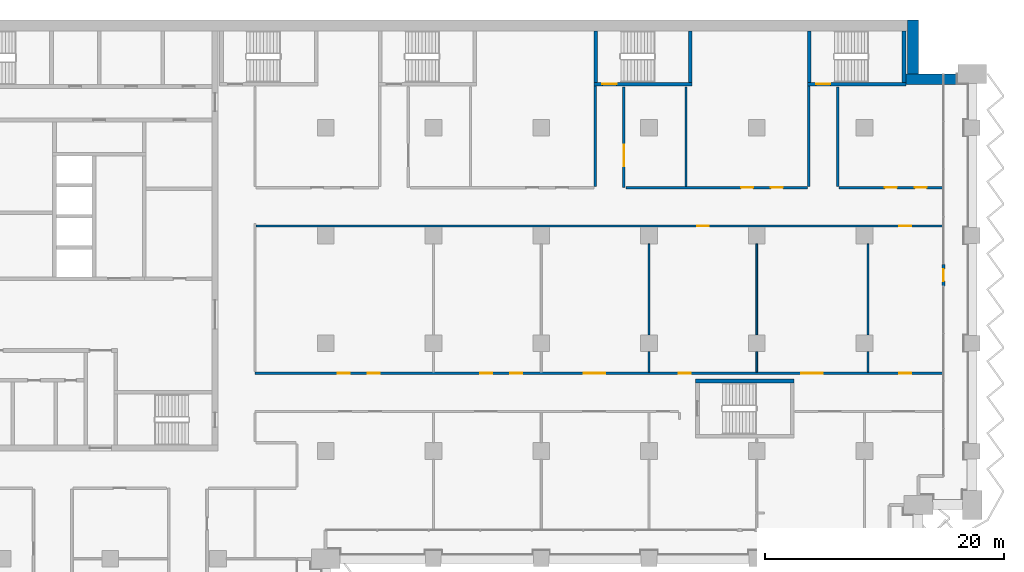
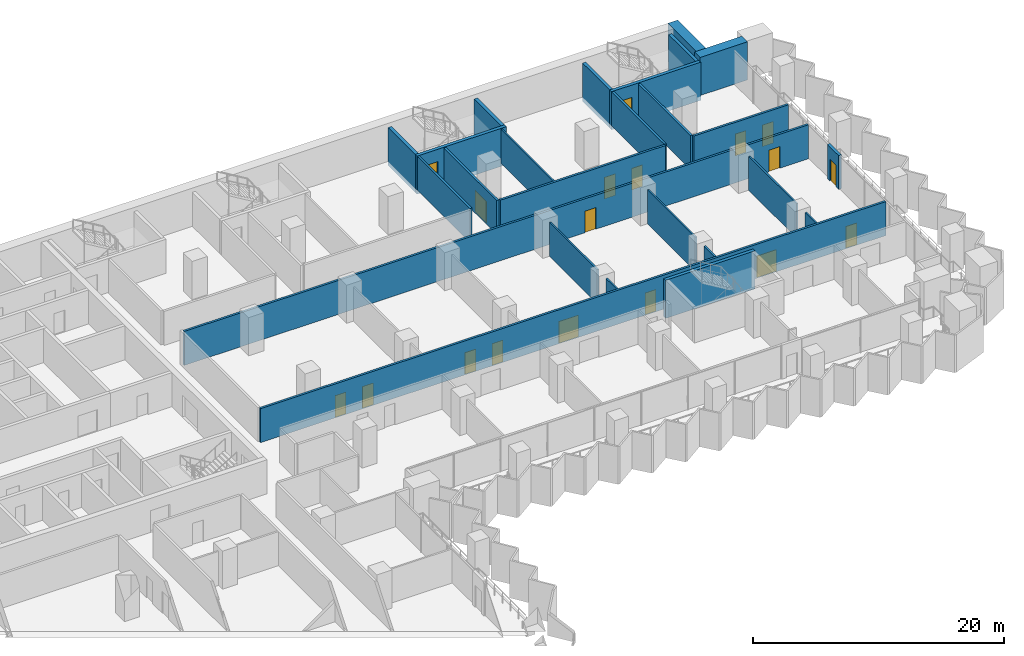
# One storey, part 18 of 28: 25 walls, 18 doors, 18 openings.
"""IFC4 building model written with IfcOpenShell, lengths in metres."""

from ifc_helpers import new_model, si_unit, direction, frame, frame_2d, origin, place, context, subcontext, project, spatial, rectangle, extrude, material, layer, layer_set, type_object, element, fill, save


model = new_model("IFC4")

# Units and contexts
model_context = context("Model", 3, precision=1e-05, world=origin(), true_north=direction((0.0, 1.0)))
body_context = subcontext(model_context, "Body", "Model", "MODEL_VIEW")
ifc_project = project(units=[si_unit("LENGTHUNIT", "METRE"), si_unit("AREAUNIT", "SQUARE_METRE"), si_unit("VOLUMEUNIT", "CUBIC_METRE"), si_unit("PLANEANGLEUNIT", "RADIAN"), si_unit("MASSUNIT", "GRAM", prefix="KILO")], contexts=[model_context])

# Site, building, storey
site_placement = place(None, origin())
site = spatial("IfcSite", under=ifc_project, at=site_placement, CompositionType="ELEMENT")
building_placement = place(site_placement, origin())
building = spatial("IfcBuilding", under=site, at=building_placement, Name="Hunhe Ridgeline Campus", CompositionType="ELEMENT")
storey_placement = place(building_placement, frame((0.0, 0.0, 58.0)))
storey = spatial("IfcBuildingStorey", under=building, at=storey_placement, Name="L13", CompositionType="ELEMENT", Elevation=58.0)

# Wall, openings, doors
ifc_material_1 = material(Name="Gypsum board partition")
ifc_layer_1 = layer(ifc_material_1, 0.199951171875)
ifc_layer_set_1 = layer_set([ifc_layer_1], Name="Corridor partition 200 gypsum board on steel studs")
wall_type_1 = type_object("IfcWallType", Name="Corridor partition 200 gypsum board on steel studs", PredefinedType="PARTITIONING", material=ifc_layer_set_1)
wall_1_placement = place(storey_placement, frame((39.10009765625, 69.5, 0.0), z_axis=(0.0, 0.0, 1.0), x_axis=(1.0, 0.0, 0.0)))
wall_1 = element("IfcWall", 1, at=wall_1_placement, inside=storey, type_object=wall_type_1, Name="F-L13-wall-041", PredefinedType="PARTITIONING", context=body_context, shape_type="SweptSolid", body=[
    extrude(rectangle(XDim=57.44482421875, YDim=0.199951171875, at=frame_2d((28.722412109375, 0.0))), origin(), (0.0, 0.0, 1.0), 3.300048828125),
])
opening_1_placement = place(wall_1_placement, frame((6.900146484375, 0.0, 0.0)))
opening_1 = element("IfcOpeningElement", 2, at=opening_1_placement, cuts=wall_1, Name="Opening RD1-030", PredefinedType="OPENING", context=body_context, shape_type="SweptSolid", body=[
    extrude(rectangle(XDim=1.0, YDim=2.10009765625, at=frame_2d((0.5, 1.050048828125))), frame((0.0, 0.10009765625, 0.0), z_axis=(0.0, -1.0, 0.0), x_axis=(1.0, 0.0, 0.0)), (0.0, 0.0, 1.0), 0.199951171875),
])
opening_2_placement = place(wall_1_placement, frame((9.400146484375, 0.0, 0.0)))
opening_2 = element("IfcOpeningElement", 3, at=opening_2_placement, cuts=wall_1, Name="Opening RD1-031", PredefinedType="OPENING", context=body_context, shape_type="SweptSolid", body=[
    extrude(rectangle(XDim=1.0, YDim=2.10009765625, at=frame_2d((0.5, 1.050048828125))), frame((0.0, 0.10009765625, 0.0), z_axis=(0.0, -1.0, 0.0), x_axis=(1.0, 0.0, 0.0)), (0.0, 0.0, 1.0), 0.199951171875),
])
opening_3_placement = place(wall_1_placement, frame((18.815673828125, 0.0, 0.0)))
opening_3 = element("IfcOpeningElement", 4, at=opening_3_placement, cuts=wall_1, Name="Opening RD1-032", PredefinedType="OPENING", context=body_context, shape_type="SweptSolid", body=[
    extrude(rectangle(XDim=1.0, YDim=2.10009765625, at=frame_2d((0.5, 1.050048828125))), frame((0.0, 0.10009765625, 0.0), z_axis=(0.0, -1.0, 0.0), x_axis=(1.0, 0.0, 0.0)), (0.0, 0.0, 1.0), 0.199951171875),
])
opening_4_placement = place(wall_1_placement, frame((21.315673828125, 0.0, 0.0)))
opening_4 = element("IfcOpeningElement", 5, at=opening_4_placement, cuts=wall_1, Name="Opening RD1-033", PredefinedType="OPENING", context=body_context, shape_type="SweptSolid", body=[
    extrude(rectangle(XDim=1.0, YDim=2.10009765625, at=frame_2d((0.5, 1.050048828125))), frame((0.0, 0.10009765625, 0.0), z_axis=(0.0, -1.0, 0.0), x_axis=(1.0, 0.0, 0.0)), (0.0, 0.0, 1.0), 0.199951171875),
])
opening_5_placement = place(wall_1_placement, frame((27.4462890625, 0.0, 0.0)))
opening_5 = element("IfcOpeningElement", 6, at=opening_5_placement, cuts=wall_1, Name="Opening RD2-034", PredefinedType="OPENING", context=body_context, shape_type="SweptSolid", body=[
    extrude(rectangle(XDim=1.800048828125, YDim=2.10009765625, at=frame_2d((0.89990234375, 1.050048828125))), frame((0.0, 0.10009765625, 0.0), z_axis=(0.0, -1.0, 0.0), x_axis=(1.0, 0.0, 0.0)), (0.0, 0.0, 1.0), 0.199951171875),
])
opening_6_placement = place(wall_1_placement, frame((35.376953125, 0.0, 0.0)))
opening_6 = element("IfcOpeningElement", 7, at=opening_6_placement, cuts=wall_1, Name="Opening RD1-035", PredefinedType="OPENING", context=body_context, shape_type="SweptSolid", body=[
    extrude(rectangle(XDim=1.0, YDim=2.10009765625, at=frame_2d((0.5, 1.050048828125))), frame((0.0, 0.10009765625, 0.0), z_axis=(0.0, -1.0, 0.0), x_axis=(1.0, 0.0, 0.0)), (0.0, 0.0, 1.0), 0.199951171875),
])
opening_7_placement = place(wall_1_placement, frame((45.633056640625, 0.0, 0.0)))
opening_7 = element("IfcOpeningElement", 8, at=opening_7_placement, cuts=wall_1, Name="Opening RD2-036", PredefinedType="OPENING", context=body_context, shape_type="SweptSolid", body=[
    extrude(rectangle(XDim=1.800048828125, YDim=2.10009765625, at=frame_2d((0.89990234375, 1.050048828125))), frame((0.0, 0.10009765625, 0.0), z_axis=(0.0, -1.0, 0.0), x_axis=(1.0, 0.0, 0.0)), (0.0, 0.0, 1.0), 0.199951171875),
])
opening_8_placement = place(wall_1_placement, frame((53.809326171875, 0.0, 0.0)))
opening_8 = element("IfcOpeningElement", 9, at=opening_8_placement, cuts=wall_1, Name="Opening RD1-037", PredefinedType="OPENING", context=body_context, shape_type="SweptSolid", body=[
    extrude(rectangle(XDim=1.0, YDim=2.10009765625, at=frame_2d((0.5, 1.050048828125))), frame((0.0, 0.10009765625, 0.0), z_axis=(0.0, -1.0, 0.0), x_axis=(1.0, 0.0, 0.0)), (0.0, 0.0, 1.0), 0.199951171875),
])
ifc_material_2 = material(Name="Timber door leaf", Category="wood")
door_type_1 = type_object("IfcDoorType", Name="Double fire door 1800x2100 timber FD60", OperationType="DOUBLE_DOOR_SINGLE_SWING", PredefinedType="DOOR", material=ifc_material_2)
door_1_placement = place(opening_5_placement, origin())
door_1 = element("IfcDoor", 10, at=door_1_placement, inside=storey, type_object=door_type_1, Name="F-L13-door-034", OperationType="DOUBLE_DOOR_SINGLE_SWING", OverallHeight=2.10009765625, OverallWidth=1.800048828125, PredefinedType="DOOR", context=body_context, shape_type="SweptSolid", body=[
    extrude(rectangle(XDim=1.800048828125, YDim=2.10009765625, at=frame_2d((0.89990234375, 1.050048828125))), frame((0.0, 0.02490234375, 0.0), z_axis=(0.0, -1.0, 0.0), x_axis=(1.0, 0.0, 0.0)), (0.0, 0.0, 1.0), 0.050048828125),
])
fill(opening_5, door_1)
door_2_placement = place(opening_7_placement, origin())
door_2 = element("IfcDoor", 11, at=door_2_placement, inside=storey, type_object=door_type_1, Name="F-L13-door-036", OperationType="DOUBLE_DOOR_SINGLE_SWING", OverallHeight=2.10009765625, OverallWidth=1.800048828125, PredefinedType="DOOR", context=body_context, shape_type="SweptSolid", body=[
    extrude(rectangle(XDim=1.800048828125, YDim=2.10009765625, at=frame_2d((0.89990234375, 1.050048828125))), frame((0.0, 0.02490234375, 0.0), z_axis=(0.0, -1.0, 0.0), x_axis=(1.0, 0.0, 0.0)), (0.0, 0.0, 1.0), 0.050048828125),
])
fill(opening_7, door_2)
door_type_2 = type_object("IfcDoorType", Name="Single fire door 1000x2100 timber FD60", OperationType="NOTDEFINED", PredefinedType="DOOR", material=ifc_material_2)
door_3_placement = place(opening_1_placement, frame((1.0, 0.0, 0.0), z_axis=(0.0, 0.0, 1.0), x_axis=(-1.0, 0.0, 0.0)))
door_3 = element("IfcDoor", 12, at=door_3_placement, inside=storey, type_object=door_type_2, Name="F-L13-door-030", OperationType="SINGLE_SWING_LEFT", OverallHeight=2.10009765625, OverallWidth=1.0, PredefinedType="DOOR", context=body_context, shape_type="SweptSolid", body=[
    extrude(rectangle(XDim=1.0, YDim=2.10009765625, at=frame_2d((0.5, 1.050048828125))), frame((0.0, 0.02490234375, 0.0), z_axis=(0.0, -1.0, 0.0), x_axis=(1.0, 0.0, 0.0)), (0.0, 0.0, 1.0), 0.050048828125),
])
fill(opening_1, door_3)
door_4_placement = place(opening_2_placement, frame((1.0, 0.0, 0.0), z_axis=(0.0, 0.0, 1.0), x_axis=(-1.0, 0.0, 0.0)))
door_4 = element("IfcDoor", 13, at=door_4_placement, inside=storey, type_object=door_type_2, Name="F-L13-door-031", OperationType="SINGLE_SWING_LEFT", OverallHeight=2.10009765625, OverallWidth=1.0, PredefinedType="DOOR", context=body_context, shape_type="SweptSolid", body=[
    extrude(rectangle(XDim=1.0, YDim=2.10009765625, at=frame_2d((0.5, 1.050048828125))), frame((0.0, 0.02490234375, 0.0), z_axis=(0.0, -1.0, 0.0), x_axis=(1.0, 0.0, 0.0)), (0.0, 0.0, 1.0), 0.050048828125),
])
fill(opening_2, door_4)
door_5_placement = place(opening_3_placement, frame((1.0, 0.0, 0.0), z_axis=(0.0, 0.0, 1.0), x_axis=(-1.0, 0.0, 0.0)))
door_5 = element("IfcDoor", 14, at=door_5_placement, inside=storey, type_object=door_type_2, Name="F-L13-door-032", OperationType="SINGLE_SWING_LEFT", OverallHeight=2.10009765625, OverallWidth=1.0, PredefinedType="DOOR", context=body_context, shape_type="SweptSolid", body=[
    extrude(rectangle(XDim=1.0, YDim=2.10009765625, at=frame_2d((0.5, 1.050048828125))), frame((0.0, 0.02490234375, 0.0), z_axis=(0.0, -1.0, 0.0), x_axis=(1.0, 0.0, 0.0)), (0.0, 0.0, 1.0), 0.050048828125),
])
fill(opening_3, door_5)
door_6_placement = place(opening_4_placement, frame((1.0, 0.0, 0.0), z_axis=(0.0, 0.0, 1.0), x_axis=(-1.0, 0.0, 0.0)))
door_6 = element("IfcDoor", 15, at=door_6_placement, inside=storey, type_object=door_type_2, Name="F-L13-door-033", OperationType="SINGLE_SWING_LEFT", OverallHeight=2.10009765625, OverallWidth=1.0, PredefinedType="DOOR", context=body_context, shape_type="SweptSolid", body=[
    extrude(rectangle(XDim=1.0, YDim=2.10009765625, at=frame_2d((0.5, 1.050048828125))), frame((0.0, 0.02490234375, 0.0), z_axis=(0.0, -1.0, 0.0), x_axis=(1.0, 0.0, 0.0)), (0.0, 0.0, 1.0), 0.050048828125),
])
fill(opening_4, door_6)
door_7_placement = place(opening_6_placement, frame((1.0, 0.0, 0.0), z_axis=(0.0, 0.0, 1.0), x_axis=(-1.0, 0.0, 0.0)))
door_7 = element("IfcDoor", 16, at=door_7_placement, inside=storey, type_object=door_type_2, Name="F-L13-door-035", OperationType="SINGLE_SWING_RIGHT", OverallHeight=2.10009765625, OverallWidth=1.0, PredefinedType="DOOR", context=body_context, shape_type="SweptSolid", body=[
    extrude(rectangle(XDim=1.0, YDim=2.10009765625, at=frame_2d((0.5, 1.050048828125))), frame((0.0, 0.02490234375, 0.0), z_axis=(0.0, -1.0, 0.0), x_axis=(1.0, 0.0, 0.0)), (0.0, 0.0, 1.0), 0.050048828125),
])
fill(opening_6, door_7)
door_8_placement = place(opening_8_placement, frame((1.0, 0.0, 0.0), z_axis=(0.0, 0.0, 1.0), x_axis=(-1.0, 0.0, 0.0)))
door_8 = element("IfcDoor", 17, at=door_8_placement, inside=storey, type_object=door_type_2, Name="F-L13-door-037", OperationType="SINGLE_SWING_LEFT", OverallHeight=2.10009765625, OverallWidth=1.0, PredefinedType="DOOR", context=body_context, shape_type="SweptSolid", body=[
    extrude(rectangle(XDim=1.0, YDim=2.10009765625, at=frame_2d((0.5, 1.050048828125))), frame((0.0, 0.02490234375, 0.0), z_axis=(0.0, -1.0, 0.0), x_axis=(1.0, 0.0, 0.0)), (0.0, 0.0, 1.0), 0.050048828125),
])
fill(opening_8, door_8)

wall_2_placement = place(storey_placement, frame((96.544921875, 81.800048828125, 0.0), z_axis=(0.0, 0.0, 1.0), x_axis=(-1.0, 0.0, 0.0)))
wall_2 = element("IfcWall", 18, at=wall_2_placement, inside=storey, type_object=wall_type_1, Name="F-L13-wall-042", PredefinedType="PARTITIONING", context=body_context, shape_type="SweptSolid", body=[
    extrude(rectangle(XDim=57.344970703125, YDim=0.199951171875, at=frame_2d((28.67236328125, 0.0))), origin(), (0.0, 0.0, 1.0), 3.300048828125),
])
opening_9_placement = place(wall_2_placement, frame((19.533203125, 0.0, 0.0)))
opening_9 = element("IfcOpeningElement", 19, at=opening_9_placement, cuts=wall_2, Name="Opening RD1-038", PredefinedType="OPENING", context=body_context, shape_type="SweptSolid", body=[
    extrude(rectangle(XDim=1.0, YDim=2.10009765625, at=frame_2d((0.5, 1.050048828125))), frame((0.0, 0.10009765625, 0.0), z_axis=(0.0, -1.0, 0.0), x_axis=(1.0, 0.0, 0.0)), (0.0, 0.0, 1.0), 0.199951171875),
])
opening_10_placement = place(wall_2_placement, frame((2.630126953125, 0.0, 0.0)))
opening_10 = element("IfcOpeningElement", 20, at=opening_10_placement, cuts=wall_2, Name="Opening RD1-039", PredefinedType="OPENING", context=body_context, shape_type="SweptSolid", body=[
    extrude(rectangle(XDim=1.0, YDim=2.10009765625, at=frame_2d((0.5, 1.050048828125))), frame((0.0, 0.10009765625, 0.0), z_axis=(0.0, -1.0, 0.0), x_axis=(1.0, 0.0, 0.0)), (0.0, 0.0, 1.0), 0.199951171875),
])
door_9_placement = place(opening_9_placement, frame((1.0, 0.0, 0.0), z_axis=(0.0, 0.0, 1.0), x_axis=(-1.0, 0.0, 0.0)))
door_9 = element("IfcDoor", 21, at=door_9_placement, inside=storey, type_object=door_type_2, Name="F-L13-door-038", OperationType="SINGLE_SWING_LEFT", OverallHeight=2.10009765625, OverallWidth=1.0, PredefinedType="DOOR", context=body_context, shape_type="SweptSolid", body=[
    extrude(rectangle(XDim=1.0, YDim=2.10009765625, at=frame_2d((0.5, 1.050048828125))), frame((0.0, 0.02490234375, 0.0), z_axis=(0.0, -1.0, 0.0), x_axis=(1.0, 0.0, 0.0)), (0.0, 0.0, 1.0), 0.050048828125),
])
fill(opening_9, door_9)
door_10_placement = place(opening_10_placement, frame((1.0, 0.0, 0.0), z_axis=(0.0, 0.0, 1.0), x_axis=(-1.0, 0.0, 0.0)))
door_10 = element("IfcDoor", 22, at=door_10_placement, inside=storey, type_object=door_type_2, Name="F-L13-door-039", OperationType="SINGLE_SWING_RIGHT", OverallHeight=2.10009765625, OverallWidth=1.0, PredefinedType="DOOR", context=body_context, shape_type="SweptSolid", body=[
    extrude(rectangle(XDim=1.0, YDim=2.10009765625, at=frame_2d((0.5, 1.050048828125))), frame((0.0, 0.02490234375, 0.0), z_axis=(0.0, -1.0, 0.0), x_axis=(1.0, 0.0, 0.0)), (0.0, 0.0, 1.0), 0.050048828125),
])
fill(opening_10, door_10)

wall_3_placement = place(storey_placement, frame((70.0703125, 85.0, 0.0), z_axis=(0.0, 0.0, 1.0), x_axis=(1.0, 0.0, 0.0)))
wall_3 = element("IfcWall", 23, at=wall_3_placement, inside=storey, type_object=wall_type_1, Name="F-L13-wall-045", PredefinedType="PARTITIONING", context=body_context, shape_type="SweptSolid", body=[
    extrude(rectangle(XDim=15.1796875, YDim=0.199951171875, at=frame_2d((7.58984375, 0.0))), origin(), (0.0, 0.0, 1.0), 3.300048828125),
])
opening_11_placement = place(wall_3_placement, frame((9.619873046875, 0.0, 0.0)))
opening_11 = element("IfcOpeningElement", 24, at=opening_11_placement, cuts=wall_3, Name="Opening RD1-044", PredefinedType="OPENING", context=body_context, shape_type="SweptSolid", body=[
    extrude(rectangle(XDim=1.0, YDim=2.10009765625, at=frame_2d((0.5, 1.050048828125))), frame((0.0, 0.10009765625, 0.0), z_axis=(0.0, -1.0, 0.0), x_axis=(1.0, 0.0, 0.0)), (0.0, 0.0, 1.0), 0.199951171875),
])
opening_12_placement = place(wall_3_placement, frame((12.119873046875, 0.0, 0.0)))
opening_12 = element("IfcOpeningElement", 25, at=opening_12_placement, cuts=wall_3, Name="Opening RD1-045", PredefinedType="OPENING", context=body_context, shape_type="SweptSolid", body=[
    extrude(rectangle(XDim=1.0, YDim=2.10009765625, at=frame_2d((0.5, 1.050048828125))), frame((0.0, 0.10009765625, 0.0), z_axis=(0.0, -1.0, 0.0), x_axis=(1.0, 0.0, 0.0)), (0.0, 0.0, 1.0), 0.199951171875),
])
door_11_placement = place(opening_11_placement, frame((1.0, 0.0, 0.0), z_axis=(0.0, 0.0, 1.0), x_axis=(-1.0, 0.0, 0.0)))
door_11 = element("IfcDoor", 26, at=door_11_placement, inside=storey, type_object=door_type_2, Name="F-L13-door-044", OperationType="SINGLE_SWING_LEFT", OverallHeight=2.10009765625, OverallWidth=1.0, PredefinedType="DOOR", context=body_context, shape_type="SweptSolid", body=[
    extrude(rectangle(XDim=1.0, YDim=2.10009765625, at=frame_2d((0.5, 1.050048828125))), frame((0.0, 0.02490234375, 0.0), z_axis=(0.0, -1.0, 0.0), x_axis=(1.0, 0.0, 0.0)), (0.0, 0.0, 1.0), 0.050048828125),
])
fill(opening_11, door_11)
door_12_placement = place(opening_12_placement, frame((1.0, 0.0, 0.0), z_axis=(0.0, 0.0, 1.0), x_axis=(-1.0, 0.0, 0.0)))
door_12 = element("IfcDoor", 27, at=door_12_placement, inside=storey, type_object=door_type_2, Name="F-L13-door-045", OperationType="SINGLE_SWING_LEFT", OverallHeight=2.10009765625, OverallWidth=1.0, PredefinedType="DOOR", context=body_context, shape_type="SweptSolid", body=[
    extrude(rectangle(XDim=1.0, YDim=2.10009765625, at=frame_2d((0.5, 1.050048828125))), frame((0.0, 0.02490234375, 0.0), z_axis=(0.0, -1.0, 0.0), x_axis=(1.0, 0.0, 0.0)), (0.0, 0.0, 1.0), 0.050048828125),
])
fill(opening_12, door_12)

wall_4_placement = place(storey_placement, frame((87.85009765625, 85.0, 0.0), z_axis=(0.0, 0.0, 1.0), x_axis=(1.0, 0.0, 0.0)))
wall_4 = element("IfcWall", 28, at=wall_4_placement, inside=storey, type_object=wall_type_1, Name="F-L13-wall-046", PredefinedType="PARTITIONING", context=body_context, shape_type="SweptSolid", body=[
    extrude(rectangle(XDim=8.69482421875, YDim=0.199951171875, at=frame_2d((4.347412109375, 0.0))), origin(), (0.0, 0.0, 1.0), 3.300048828125),
])
opening_13_placement = place(wall_4_placement, frame((3.847412109375, 0.0, 0.0)))
opening_13 = element("IfcOpeningElement", 29, at=opening_13_placement, cuts=wall_4, Name="Opening RD1-046", PredefinedType="OPENING", context=body_context, shape_type="SweptSolid", body=[
    extrude(rectangle(XDim=1.0, YDim=2.10009765625, at=frame_2d((0.5, 1.050048828125))), frame((0.0, 0.10009765625, 0.0), z_axis=(0.0, -1.0, 0.0), x_axis=(1.0, 0.0, 0.0)), (0.0, 0.0, 1.0), 0.199951171875),
])
opening_14_placement = place(wall_4_placement, frame((6.347412109375, 0.0, 0.0)))
opening_14 = element("IfcOpeningElement", 30, at=opening_14_placement, cuts=wall_4, Name="Opening RD1-047", PredefinedType="OPENING", context=body_context, shape_type="SweptSolid", body=[
    extrude(rectangle(XDim=1.0, YDim=2.10009765625, at=frame_2d((0.5, 1.050048828125))), frame((0.0, 0.10009765625, 0.0), z_axis=(0.0, -1.0, 0.0), x_axis=(1.0, 0.0, 0.0)), (0.0, 0.0, 1.0), 0.199951171875),
])
door_13_placement = place(opening_13_placement, frame((1.0, 0.0, 0.0), z_axis=(0.0, 0.0, 1.0), x_axis=(-1.0, 0.0, 0.0)))
door_13 = element("IfcDoor", 31, at=door_13_placement, inside=storey, type_object=door_type_2, Name="F-L13-door-046", OperationType="SINGLE_SWING_LEFT", OverallHeight=2.10009765625, OverallWidth=1.0, PredefinedType="DOOR", context=body_context, shape_type="SweptSolid", body=[
    extrude(rectangle(XDim=1.0, YDim=2.10009765625, at=frame_2d((0.5, 1.050048828125))), frame((0.0, 0.02490234375, 0.0), z_axis=(0.0, -1.0, 0.0), x_axis=(1.0, 0.0, 0.0)), (0.0, 0.0, 1.0), 0.050048828125),
])
fill(opening_13, door_13)
door_14_placement = place(opening_14_placement, frame((1.0, 0.0, 0.0), z_axis=(0.0, 0.0, 1.0), x_axis=(-1.0, 0.0, 0.0)))
door_14 = element("IfcDoor", 32, at=door_14_placement, inside=storey, type_object=door_type_2, Name="F-L13-door-047", OperationType="SINGLE_SWING_LEFT", OverallHeight=2.10009765625, OverallWidth=1.0, PredefinedType="DOOR", context=body_context, shape_type="SweptSolid", body=[
    extrude(rectangle(XDim=1.0, YDim=2.10009765625, at=frame_2d((0.5, 1.050048828125))), frame((0.0, 0.02490234375, 0.0), z_axis=(0.0, -1.0, 0.0), x_axis=(1.0, 0.0, 0.0)), (0.0, 0.0, 1.0), 0.050048828125),
])
fill(opening_14, door_14)

# Wall
wall_5_placement = place(storey_placement, frame((67.5, 85.10009765625, 0.0), z_axis=(0.0, 0.0, 1.0), x_axis=(0.0, 1.0, 0.0)))
element("IfcWall", 33, at=wall_5_placement, inside=storey, type_object=wall_type_1, Name="F-L13-wall-077", PredefinedType="PARTITIONING", context=body_context, shape_type="SweptSolid", body=[
    extrude(rectangle(XDim=8.369873046875, YDim=0.199951171875, at=frame_2d((4.18505859375, 0.0))), origin(), (0.0, 0.0, 1.0), 3.300048828125),
])

# Wall, opening, door
wall_6_placement = place(storey_placement, frame((69.89990234375, 93.39599609375, 0.0), z_axis=(0.0, 0.0, 1.0), x_axis=(0.0, -1.0, 0.0)))
wall_6 = element("IfcWall", 34, at=wall_6_placement, inside=storey, type_object=wall_type_1, Name="F-L13-wall-078", PredefinedType="PARTITIONING", context=body_context, shape_type="SweptSolid", body=[
    extrude(rectangle(XDim=8.39599609375, YDim=0.199951171875, at=frame_2d((4.197998046875, 0.0))), origin(), (0.0, 0.0, 1.0), 3.300048828125),
])
opening_15_placement = place(wall_6_placement, frame((4.798095703125, 0.0, 0.0)))
opening_15 = element("IfcOpeningElement", 35, at=opening_15_placement, cuts=wall_6, Name="Opening RD2-049", PredefinedType="OPENING", context=body_context, shape_type="SweptSolid", body=[
    extrude(rectangle(XDim=1.800048828125, YDim=2.10009765625, at=frame_2d((0.89990234375, 1.050048828125))), frame((0.0, 0.10009765625, 0.0), z_axis=(0.0, -1.0, 0.0), x_axis=(1.0, 0.0, 0.0)), (0.0, 0.0, 1.0), 0.199951171875),
])
door_15_placement = place(opening_15_placement, origin())
door_15 = element("IfcDoor", 36, at=door_15_placement, inside=storey, type_object=door_type_1, Name="F-L13-door-049", OperationType="DOUBLE_DOOR_SINGLE_SWING", OverallHeight=2.10009765625, OverallWidth=1.800048828125, PredefinedType="DOOR", context=body_context, shape_type="SweptSolid", body=[
    extrude(rectangle(XDim=1.800048828125, YDim=2.10009765625, at=frame_2d((0.89990234375, 1.050048828125))), frame((0.0, 0.02490234375, 0.0), z_axis=(0.0, -1.0, 0.0), x_axis=(1.0, 0.0, 0.0)), (0.0, 0.0, 1.0), 0.050048828125),
])
fill(opening_15, door_15)

# Walls
wall_7_placement = place(storey_placement, frame((85.35009765625, 85.10009765625, 0.0), z_axis=(0.0, 0.0, 1.0), x_axis=(0.0, 1.0, 0.0)))
element("IfcWall", 37, at=wall_7_placement, inside=storey, type_object=wall_type_1, Name="F-L13-wall-090", PredefinedType="PARTITIONING", context=body_context, shape_type="SweptSolid", body=[
    extrude(rectangle(XDim=8.369873046875, YDim=0.199951171875, at=frame_2d((4.18505859375, 0.0))), origin(), (0.0, 0.0, 1.0), 3.300048828125),
])
wall_8_placement = place(storey_placement, frame((87.75, 93.39599609375, 0.0), z_axis=(0.0, 0.0, 1.0), x_axis=(0.0, -1.0, 0.0)))
element("IfcWall", 38, at=wall_8_placement, inside=storey, type_object=wall_type_1, Name="F-L13-wall-091", PredefinedType="PARTITIONING", context=body_context, shape_type="SweptSolid", body=[
    extrude(rectangle(XDim=8.2958984375, YDim=0.199951171875, at=frame_2d((4.14794921875, 0.0))), origin(), (0.0, 0.0, 1.0), 3.300048828125),
])

# Wall, opening, door
ifc_material_3 = material(Name="Concrete C30", Category="concrete")
ifc_layer_2 = layer(ifc_material_3, 0.25)
ifc_layer_set_2 = layer_set([ifc_layer_2], Name="Loggia door pier wall 250 Concrete C30")
wall_type_2 = type_object("IfcWallType", Name="Loggia door pier wall 250 Concrete C30", PredefinedType="SOLIDWALL", material=ifc_layer_set_2)
wall_9_placement = place(storey_placement, frame((96.59912109375, 76.800537109375, 0.0), z_axis=(0.0, 0.0, 1.0), x_axis=(0.0, 1.0, 0.0)))
wall_9 = element("IfcWall", 39, at=wall_9_placement, inside=storey, type_object=wall_type_2, Name="Loggia door pier 5", PredefinedType="SOLIDWALL", context=body_context, shape_type="SweptSolid", body=[
    extrude(rectangle(XDim=1.800048828125, YDim=0.25, at=frame_2d((0.89990234375, 0.0))), origin(), (0.0, 0.0, 1.0), 3.300048828125),
])
opening_16_placement = place(wall_9_placement, frame((0.39990234375, 0.0, 0.0)))
opening_16 = element("IfcOpeningElement", 40, at=opening_16_placement, cuts=wall_9, Name="Opening BD108", PredefinedType="OPENING", context=body_context, shape_type="SweptSolid", body=[
    extrude(rectangle(XDim=1.0, YDim=2.10009765625, at=frame_2d((0.5, 1.050048828125))), frame((0.0, 0.125, 0.0), z_axis=(0.0, -1.0, 0.0), x_axis=(1.0, 0.0, 0.0)), (0.0, 0.0, 1.0), 0.25),
])
ifc_material_4 = material(Name="Aluminium 6063", Category="aluminium")
door_type_3 = type_object("IfcDoorType", Name="Loggia glazed door 1000x2100", OperationType="NOTDEFINED", PredefinedType="DOOR", material=ifc_material_4)
door_16_placement = place(opening_16_placement, frame((1.0, 0.0, 0.0), z_axis=(0.0, 0.0, 1.0), x_axis=(-1.0, 0.0, 0.0)))
door_16 = element("IfcDoor", 41, at=door_16_placement, inside=storey, type_object=door_type_3, Name="Loggia door BD108", OperationType="SINGLE_SWING_LEFT", OverallHeight=2.10009765625, OverallWidth=1.0, PredefinedType="DOOR", context=body_context, shape_type="SweptSolid", body=[
    extrude(rectangle(XDim=1.0, YDim=2.10009765625, at=frame_2d((0.5, 1.050048828125))), frame((0.0, 0.02490234375, 0.0), z_axis=(0.0, -1.0, 0.0), x_axis=(1.0, 0.0, 0.0)), (0.0, 0.0, 1.0), 0.050048828125),
])
fill(opening_16, door_16)

# Walls
ifc_layer_3 = layer(ifc_material_1, 0.14990234375)
ifc_layer_set_3 = layer_set([ifc_layer_3], Name="Room partition 150 gypsum board on steel studs")
wall_type_3 = type_object("IfcWallType", Name="Room partition 150 gypsum board on steel studs", PredefinedType="PARTITIONING", material=ifc_layer_set_3)
wall_10_placement = place(storey_placement, frame((72.0, 71.300048828125, 0.0), z_axis=(0.0, 0.0, 1.0), x_axis=(0.0, -1.0, 0.0)))
element("IfcWall", 42, at=wall_10_placement, inside=storey, type_object=wall_type_3, Name="F-L13-wall-081", PredefinedType="PARTITIONING", context=body_context, shape_type="SweptSolid", body=[
    extrude(rectangle(XDim=1.699951171875, YDim=0.14990234375, at=frame_2d((0.85009765625, 0.0))), origin(), (0.0, 0.0, 1.0), 3.300048828125),
])
wall_11_placement = place(storey_placement, frame((72.0, 80.300048828125, 0.0), z_axis=(0.0, 0.0, 1.0), x_axis=(0.0, -1.0, 0.0)))
element("IfcWall", 43, at=wall_11_placement, inside=storey, type_object=wall_type_3, Name="F-L13-wall-082", PredefinedType="PARTITIONING", context=body_context, shape_type="SweptSolid", body=[
    extrude(rectangle(XDim=7.60009765625, YDim=0.14990234375, at=frame_2d((3.800048828125, 0.0))), origin(), (0.0, 0.0, 1.0), 3.300048828125),
])
wall_12_placement = place(storey_placement, frame((75.10009765625, 93.39599609375, 0.0), z_axis=(0.0, 0.0, 1.0), x_axis=(0.0, -1.0, 0.0)))
element("IfcWall", 44, at=wall_12_placement, inside=storey, type_object=wall_type_3, Name="F-L13-wall-084", PredefinedType="PARTITIONING", context=body_context, shape_type="SweptSolid", body=[
    extrude(rectangle(XDim=8.2958984375, YDim=0.14990234375, at=frame_2d((4.14794921875, 0.0))), origin(), (0.0, 0.0, 1.0), 3.300048828125),
])
wall_13_placement = place(storey_placement, frame((81.0, 71.300048828125, 0.0), z_axis=(0.0, 0.0, 1.0), x_axis=(0.0, -1.0, 0.0)))
element("IfcWall", 45, at=wall_13_placement, inside=storey, type_object=wall_type_3, Name="F-L13-wall-088", PredefinedType="PARTITIONING", context=body_context, shape_type="SweptSolid", body=[
    extrude(rectangle(XDim=1.699951171875, YDim=0.14990234375, at=frame_2d((0.85009765625, 0.0))), origin(), (0.0, 0.0, 1.0), 3.300048828125),
])
wall_14_placement = place(storey_placement, frame((81.0, 80.300048828125, 0.0), z_axis=(0.0, 0.0, 1.0), x_axis=(0.0, -1.0, 0.0)))
element("IfcWall", 46, at=wall_14_placement, inside=storey, type_object=wall_type_3, Name="F-L13-wall-089", PredefinedType="PARTITIONING", context=body_context, shape_type="SweptSolid", body=[
    extrude(rectangle(XDim=7.60009765625, YDim=0.14990234375, at=frame_2d((3.800048828125, 0.0))), origin(), (0.0, 0.0, 1.0), 3.300048828125),
])
wall_15_placement = place(storey_placement, frame((90.300048828125, 71.300048828125, 0.0), z_axis=(0.0, 0.0, 1.0), x_axis=(0.0, -1.0, 0.0)))
element("IfcWall", 47, at=wall_15_placement, inside=storey, type_object=wall_type_3, Name="F-L13-wall-094", PredefinedType="PARTITIONING", context=body_context, shape_type="SweptSolid", body=[
    extrude(rectangle(XDim=1.699951171875, YDim=0.14990234375, at=frame_2d((0.85009765625, 0.0))), origin(), (0.0, 0.0, 1.0), 3.300048828125),
])
wall_16_placement = place(storey_placement, frame((90.300048828125, 80.300048828125, 0.0), z_axis=(0.0, 0.0, 1.0), x_axis=(0.0, -1.0, 0.0)))
element("IfcWall", 48, at=wall_16_placement, inside=storey, type_object=wall_type_3, Name="F-L13-wall-095", PredefinedType="PARTITIONING", context=body_context, shape_type="SweptSolid", body=[
    extrude(rectangle(XDim=7.60009765625, YDim=0.14990234375, at=frame_2d((3.800048828125, 0.0))), origin(), (0.0, 0.0, 1.0), 3.300048828125),
])
ifc_material_5 = material(Name="Concrete C80", Category="concrete")
ifc_layer_4 = layer(ifc_material_5, 0.89990234375)
ifc_layer_set_4 = layer_set([ifc_layer_4], Name="Spine wall 900 Concrete C80")
wall_type_4 = type_object("IfcWallType", Name="Spine wall 900 Concrete C80", PredefinedType="SHEAR", material=ifc_layer_set_4)
wall_17_placement = place(storey_placement, frame((97.800048828125, 94.050048828125, 0.0), z_axis=(0.0, 0.0, 1.0), x_axis=(-1.0, 0.0, 0.0)))
element("IfcWall", 49, at=wall_17_placement, inside=storey, type_object=wall_type_4, Name="Spine wall SW1-2 L13", PredefinedType="SHEAR", context=body_context, shape_type="SweptSolid", body=[
    extrude(rectangle(XDim=4.3505859375, YDim=0.89990234375, at=frame_2d((2.17529296875, 0.0))), origin(), (0.0, 0.0, 1.0), 3.699951171875),
])
wall_18_placement = place(storey_placement, frame((94.050048828125, 93.60009765625, 0.0), z_axis=(0.0, 0.0, 1.0), x_axis=(0.0, 1.0, 0.0)))
element("IfcWall", 50, at=wall_18_placement, inside=storey, type_object=wall_type_4, Name="Spine wall SW1-3 L13", PredefinedType="SHEAR", context=body_context, shape_type="SweptSolid", body=[
    extrude(rectangle(XDim=5.39990234375, YDim=0.89990234375, at=frame_2d((2.699951171875, 0.0))), origin(), (0.0, 0.0, 1.0), 3.699951171875),
])
ifc_layer_5 = layer(ifc_material_5, 0.300048828125)
ifc_layer_set_5 = layer_set([ifc_layer_5], Name="Stair wall 300 reinforced concrete C80")
wall_type_5 = type_object("IfcWallType", Name="Stair wall 300 reinforced concrete C80", PredefinedType="SOLIDWALL", material=ifc_layer_set_5)
wall_19_placement = place(storey_placement, frame((75.89990234375, 68.85009765625, -0.39990234375), z_axis=(0.0, 0.0, 1.0), x_axis=(1.0, 0.0, 0.0)))
element("IfcWall", 51, at=wall_19_placement, inside=storey, type_object=wall_type_5, Name="L13 core wall 10", PredefinedType="SOLIDWALL", context=body_context, shape_type="SweptSolid", body=[
    extrude(rectangle(XDim=8.2001953125, YDim=0.300048828125, at=frame_2d((4.10009765625, 0.0))), origin(), (0.0, 0.0, 1.0), 3.699951171875),
])

# Wall, opening, door
wall_20_placement = place(storey_placement, frame((67.39990234375, 93.64990234375, -0.39990234375), z_axis=(0.0, 0.0, 1.0), x_axis=(1.0, 0.0, 0.0)))
wall_20 = element("IfcWall", 52, at=wall_20_placement, inside=storey, type_object=wall_type_5, Name="L13 core wall 33", PredefinedType="SOLIDWALL", context=body_context, shape_type="SweptSolid", body=[
    extrude(rectangle(XDim=8.2001953125, YDim=0.300048828125, at=frame_2d((4.10009765625, 0.0))), origin(), (0.0, 0.0, 1.0), 3.699951171875),
])
opening_17_placement = place(wall_20_placement, frame((0.699951171875, 0.0, 0.39990234375)))
opening_17 = element("IfcOpeningElement", 53, at=opening_17_placement, cuts=wall_20, Name="Opening CD19", PredefinedType="OPENING", context=body_context, shape_type="SweptSolid", body=[
    extrude(rectangle(XDim=1.199951171875, YDim=2.10009765625, at=frame_2d((0.60009765625, 1.050048828125))), frame((0.0, 0.14990234375, 0.0), z_axis=(0.0, -1.0, 0.0), x_axis=(1.0, 0.0, 0.0)), (0.0, 0.0, 1.0), 0.300048828125),
])
ifc_material_6 = material(Name="Hollow metal fire door leaf")
door_type_4 = type_object("IfcDoorType", Name="Stair door 1200x2100 FD60", OperationType="SINGLE_SWING_LEFT", PredefinedType="DOOR", material=ifc_material_6)
door_17_placement = place(opening_17_placement, frame((1.199951171875, 0.0, 0.0), z_axis=(0.0, 0.0, 1.0), x_axis=(-1.0, 0.0, 0.0)))
door_17 = element("IfcDoor", 54, at=door_17_placement, inside=storey, type_object=door_type_4, Name="L13 door E3", OperationType="SINGLE_SWING_RIGHT", OverallHeight=2.10009765625, OverallWidth=1.199951171875, PredefinedType="DOOR", context=body_context, shape_type="SweptSolid", body=[
    extrude(rectangle(XDim=1.199951171875, YDim=2.10009765625, at=frame_2d((0.60009765625, 1.050048828125))), frame((0.0, 0.02490234375, 0.0), z_axis=(0.0, -1.0, 0.0), x_axis=(1.0, 0.0, 0.0)), (0.0, 0.0, 1.0), 0.050048828125),
])
fill(opening_17, door_17)

wall_21_placement = place(storey_placement, frame((85.25, 93.64990234375, -0.39990234375), z_axis=(0.0, 0.0, 1.0), x_axis=(1.0, 0.0, 0.0)))
wall_21 = element("IfcWall", 55, at=wall_21_placement, inside=storey, type_object=wall_type_5, Name="L13 core wall 34", PredefinedType="SOLIDWALL", context=body_context, shape_type="SweptSolid", body=[
    extrude(rectangle(XDim=8.199951171875, YDim=0.300048828125, at=frame_2d((4.10009765625, 0.0))), origin(), (0.0, 0.0, 1.0), 3.699951171875),
])
opening_18_placement = place(wall_21_placement, frame((0.699951171875, 0.0, 0.39990234375)))
opening_18 = element("IfcOpeningElement", 56, at=opening_18_placement, cuts=wall_21, Name="Opening CD20", PredefinedType="OPENING", context=body_context, shape_type="SweptSolid", body=[
    extrude(rectangle(XDim=1.199951171875, YDim=2.10009765625, at=frame_2d((0.60009765625, 1.050048828125))), frame((0.0, 0.14990234375, 0.0), z_axis=(0.0, -1.0, 0.0), x_axis=(1.0, 0.0, 0.0)), (0.0, 0.0, 1.0), 0.300048828125),
])
door_18_placement = place(opening_18_placement, frame((1.199951171875, 0.0, 0.0), z_axis=(0.0, 0.0, 1.0), x_axis=(-1.0, 0.0, 0.0)))
door_18 = element("IfcDoor", 57, at=door_18_placement, inside=storey, type_object=door_type_4, Name="L13 door E4", OperationType="SINGLE_SWING_LEFT", OverallHeight=2.10009765625, OverallWidth=1.199951171875, PredefinedType="DOOR", context=body_context, shape_type="SweptSolid", body=[
    extrude(rectangle(XDim=1.199951171875, YDim=2.10009765625, at=frame_2d((0.60009765625, 1.050048828125))), frame((0.0, 0.02490234375, 0.0), z_axis=(0.0, -1.0, 0.0), x_axis=(1.0, 0.0, 0.0)), (0.0, 0.0, 1.0), 0.050048828125),
])
fill(opening_18, door_18)

# Walls
for number, where, z_axis, x_axis, name in (
    (58, (67.550048828125, 93.800048828125, -0.39990234375), (0.0, 0.0, 1.0), (0.0, 1.0, 0.0), "L13 core wall 68"),
    (59, (75.449951171875, 93.800048828125, -0.39990234375), (0.0, 0.0, 1.0), (0.0, 1.0, 0.0), "L13 core wall 69"),
    (60, (85.39990234375, 93.800048828125, -0.39990234375), (0.0, 0.0, 1.0), (0.0, 1.0, 0.0), "L13 core wall 72"),
    (61, (93.300048828125, 93.800048828125, -0.39990234375), (0.0, 0.0, 1.0), (0.0, 1.0, 0.0), "L13 core wall 73"),
):
    element("IfcWall", number, at=place(storey_placement, frame(where, z_axis=z_axis, x_axis=x_axis)), inside=storey, type_object=wall_type_5, Name=name, PredefinedType="SOLIDWALL", context=body_context, shape_type="SweptSolid", body=[
        extrude(rectangle(XDim=4.300048828125, YDim=0.300048828125, at=frame_2d((2.14990234375, 0.0))), origin(), (0.0, 0.0, 1.0), 3.699951171875),
    ])

save(model, "model.ifc")
